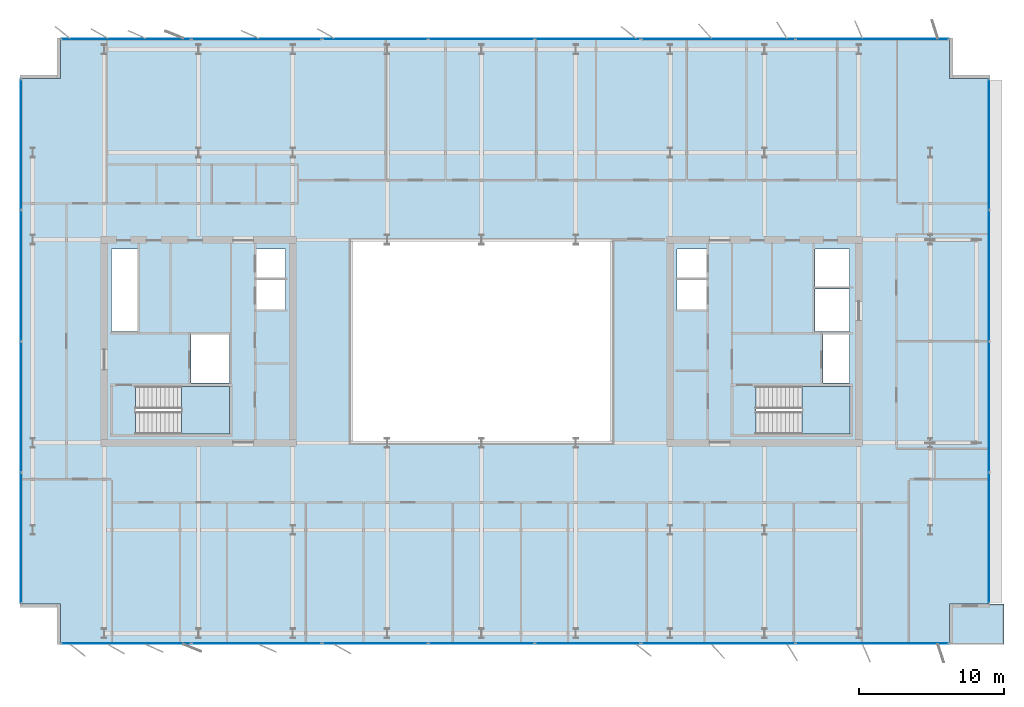
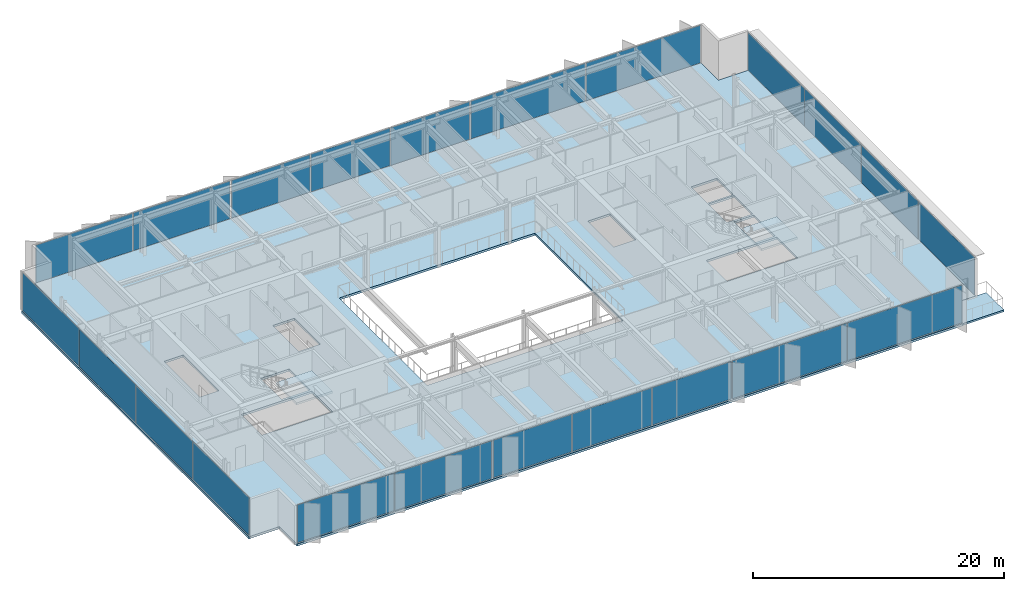
# One storey, part 11 of 20: 22 plates, 4 slabs, 10 elements without a shape of their own.
"""IFC4 building model written with IfcOpenShell, lengths in metres."""

from ifc_helpers import new_model, si_unit, direction, frame, origin, origin_2d, place, context, subcontext, project, spatial, polyline, rectangle, outline, extrude, material, layer, layer_set, type_object, element, aggregate, save


model = new_model("IFC4")

# Units and contexts
model_context = context("Model", 3, precision=1e-05, world=origin(), true_north=direction((0.0, 1.0)))
body_context = subcontext(model_context, "Body", "Model", "MODEL_VIEW")
ifc_project = project(units=[si_unit("LENGTHUNIT", "METRE"), si_unit("AREAUNIT", "SQUARE_METRE"), si_unit("VOLUMEUNIT", "CUBIC_METRE"), si_unit("PLANEANGLEUNIT", "RADIAN"), si_unit("MASSUNIT", "GRAM", prefix="KILO")], contexts=[model_context])

# Site, building, storey
site_placement = place(None, origin())
site = spatial("IfcSite", under=ifc_project, at=site_placement, CompositionType="ELEMENT")
building_placement = place(site_placement, origin())
building = spatial("IfcBuilding", under=site, at=building_placement, Name="Putna Gate Headquarters", CompositionType="ELEMENT")
storey_placement = place(building_placement, frame((0.0, 0.0, 302.39990234375)))
storey = spatial("IfcBuildingStorey", under=building, at=storey_placement, Name="L76", CompositionType="ELEMENT", Elevation=302.39990234375)

# Stair, slab
ifc_material_1 = material(Name="Concrete C40/50", Category="concrete")
stair_type_1 = type_object("IfcStairType", Name="STAIR-ST1", PredefinedType="HALF_TURN_STAIR", material=ifc_material_1)
stair_1_placement = place(storey_placement, origin())
stair_1 = element("IfcStair", 1, at=stair_1_placement, inside=storey, type_object=stair_type_1, Name="L76 West Core Exit Stair ST1", PredefinedType="HALF_TURN_STAIR")
ifc_layer_1 = layer(ifc_material_1, 0.199951171875)
ifc_layer_set_1 = layer_set([ifc_layer_1], Name="Concrete C40/50")
slab_type_1 = type_object("IfcSlabType", Name="LANDING-ST1", PredefinedType="LANDING", material=ifc_layer_set_1)
slab_1_placement = place(storey_placement, frame((0.0, 0.0, 1.800048828125)))
slab_1 = element("IfcSlab", 2, at=slab_1_placement, type_object=slab_type_1, Name="ST1 landing 1", PredefinedType="LANDING", context=body_context, shape_type="SweptSolid", body=[
    extrude(outline(polyline([(18.340087890625, 19.60009765625), (21.64990234375, 19.60009765625), (21.64990234375, 22.89990234375), (18.340087890625, 22.89990234375), (18.340087890625, 19.60009765625)])), origin(), (0.0, 0.0, 1.0), 0.199951171875),
])
aggregate(stair_1, [slab_1])

stair_type_2 = type_object("IfcStairType", Name="STAIR-ST2", PredefinedType="HALF_TURN_STAIR", material=ifc_material_1)
stair_2_placement = place(storey_placement, origin())
stair_2 = element("IfcStair", 3, at=stair_2_placement, inside=storey, type_object=stair_type_2, Name="L76 East Core Exit Stair ST2", PredefinedType="HALF_TURN_STAIR")
ifc_layer_2 = layer(ifc_material_1, 0.199951171875)
ifc_layer_set_2 = layer_set([ifc_layer_2], Name="Concrete C40/50")
slab_type_2 = type_object("IfcSlabType", Name="LANDING-ST2", PredefinedType="LANDING", material=ifc_layer_set_2)
slab_2_placement = place(storey_placement, frame((0.0, 0.0, 1.800048828125)))
slab_2 = element("IfcSlab", 4, at=slab_2_placement, type_object=slab_type_2, Name="ST2 landing 1", PredefinedType="LANDING", context=body_context, shape_type="SweptSolid", body=[
    extrude(outline(polyline([(61.090087890625, 19.60009765625), (64.39990234375, 19.60009765625), (64.39990234375, 22.89990234375), (61.090087890625, 22.89990234375), (61.090087890625, 19.60009765625)])), origin(), (0.0, 0.0, 1.0), 0.199951171875),
])
aggregate(stair_2, [slab_2])

# Curtain wall, plates
ifc_material_2 = material(Name="Anodised bronze aluminium curtain wall", Category="aluminium")
ifc_layer_3 = layer(ifc_material_2, 0.179931640625)
ifc_layer_set_3 = layer_set([ifc_layer_3], Name="Anodised bronze aluminium curtain wall")
curtain_wall_type_1 = type_object("IfcCurtainWallType", Name="CW-SYS-Z5", PredefinedType="USERDEFINED", material=ifc_layer_set_3)
curtain_wall_1_placement = place(storey_placement, origin())
curtain_wall_1 = element("IfcCurtainWall", 5, at=curtain_wall_1_placement, inside=storey, type_object=curtain_wall_type_1, Name="L76 South West Curtain Wall", ObjectType="STICK CURTAIN WALL", PredefinedType="USERDEFINED")
ifc_material_3 = material(Name="Solar-control triple low-E glass", Category="glass")
ifc_layer_4 = layer(ifc_material_3, 0.033935546875)
ifc_layer_set_4 = layer_set([ifc_layer_4], Name="Solar-control triple low-E glass")
plate_type_1 = type_object("IfcPlateType", Name="PAN-CWP-5", PredefinedType="CURTAIN_PANEL", material=ifc_layer_set_4)
plate_1_placement = place(storey_placement, frame((14.517578125, 5.179931640625, 0.06005859375), z_axis=(0.0, 0.0, 1.0), x_axis=(1.0, 0.0, 0.0)))
plate_1 = element("IfcPlate", 6, at=plate_1_placement, type_object=plate_type_1, Name="CWS-5 panel 1.1", PredefinedType="CURTAIN_PANEL", context=body_context, shape_type="SweptSolid", body=[
    extrude(rectangle(XDim=8.89501953125, YDim=0.033935546875, at=origin_2d()), origin(), (0.0, 0.0, 1.0), 3.66796875),
])
plate_2_placement = place(storey_placement, frame((23.482421875, 5.179931640625, 0.06005859375), z_axis=(0.0, 0.0, 1.0), x_axis=(1.0, 0.0, 0.0)))
plate_2 = element("IfcPlate", 7, at=plate_2_placement, type_object=plate_type_1, Name="CWS-5 panel 2.1", PredefinedType="CURTAIN_PANEL", context=body_context, shape_type="SweptSolid", body=[
    extrude(rectangle(XDim=8.89501953125, YDim=0.033935546875, at=origin_2d()), origin(), (0.0, 0.0, 1.0), 3.66796875),
])
aggregate(curtain_wall_1, [plate_1, plate_2])

curtain_wall_2_placement = place(storey_placement, origin())
curtain_wall_2 = element("IfcCurtainWall", 8, at=curtain_wall_2_placement, inside=storey, type_object=curtain_wall_type_1, Name="L76 South East Curtain Wall", ObjectType="STICK CURTAIN WALL", PredefinedType="USERDEFINED")
plate_3_placement = place(storey_placement, frame((55.33056640625, 5.179931640625, 0.06005859375), z_axis=(0.0, 0.0, 1.0), x_axis=(1.0, 0.0, 0.0)))
plate_3 = element("IfcPlate", 9, at=plate_3_placement, type_object=plate_type_1, Name="CWS-5 panel 1.1", PredefinedType="CURTAIN_PANEL", context=body_context, shape_type="SweptSolid", body=[
    extrude(rectangle(XDim=10.52099609375, YDim=0.033935546875, at=origin_2d()), origin(), (0.0, 0.0, 1.0), 3.66796875),
])
plate_4_placement = place(storey_placement, frame((65.921630859375, 5.179931640625, 0.06005859375), z_axis=(0.0, 0.0, 1.0), x_axis=(1.0, 0.0, 0.0)))
plate_4 = element("IfcPlate", 10, at=plate_4_placement, type_object=plate_type_1, Name="CWS-5 panel 2.1", PredefinedType="CURTAIN_PANEL", context=body_context, shape_type="SweptSolid", body=[
    extrude(rectangle(XDim=10.52099609375, YDim=0.033935546875, at=origin_2d()), origin(), (0.0, 0.0, 1.0), 3.66796875),
])
aggregate(curtain_wall_2, [plate_3, plate_4])

curtain_wall_3_placement = place(storey_placement, origin())
curtain_wall_3 = element("IfcCurtainWall", 11, at=curtain_wall_3_placement, inside=storey, type_object=curtain_wall_type_1, Name="L76 North West Curtain Wall", ObjectType="STICK CURTAIN WALL", PredefinedType="USERDEFINED")
plate_5_placement = place(storey_placement, frame((14.517578125, 46.820068359375, 0.06005859375), z_axis=(0.0, 0.0, 1.0), x_axis=(1.0, 0.0, 0.0)))
plate_5 = element("IfcPlate", 12, at=plate_5_placement, type_object=plate_type_1, Name="CWS-5 panel 1.1", PredefinedType="CURTAIN_PANEL", context=body_context, shape_type="SweptSolid", body=[
    extrude(rectangle(XDim=8.89501953125, YDim=0.033935546875, at=origin_2d()), origin(), (0.0, 0.0, 1.0), 3.66796875),
])
plate_6_placement = place(storey_placement, frame((23.482421875, 46.820068359375, 0.06005859375), z_axis=(0.0, 0.0, 1.0), x_axis=(1.0, 0.0, 0.0)))
plate_6 = element("IfcPlate", 13, at=plate_6_placement, type_object=plate_type_1, Name="CWS-5 panel 2.1", PredefinedType="CURTAIN_PANEL", context=body_context, shape_type="SweptSolid", body=[
    extrude(rectangle(XDim=8.89501953125, YDim=0.033935546875, at=origin_2d()), origin(), (0.0, 0.0, 1.0), 3.66796875),
])
aggregate(curtain_wall_3, [plate_5, plate_6])

curtain_wall_4_placement = place(storey_placement, origin())
curtain_wall_4 = element("IfcCurtainWall", 14, at=curtain_wall_4_placement, inside=storey, type_object=curtain_wall_type_1, Name="L76 North East Curtain Wall", ObjectType="STICK CURTAIN WALL", PredefinedType="USERDEFINED")
plate_7_placement = place(storey_placement, frame((55.33056640625, 46.820068359375, 0.06005859375), z_axis=(0.0, 0.0, 1.0), x_axis=(1.0, 0.0, 0.0)))
plate_7 = element("IfcPlate", 15, at=plate_7_placement, type_object=plate_type_1, Name="CWS-5 panel 1.1", PredefinedType="CURTAIN_PANEL", context=body_context, shape_type="SweptSolid", body=[
    extrude(rectangle(XDim=10.52099609375, YDim=0.033935546875, at=origin_2d()), origin(), (0.0, 0.0, 1.0), 3.66796875),
])
plate_8_placement = place(storey_placement, frame((65.921630859375, 46.820068359375, 0.06005859375), z_axis=(0.0, 0.0, 1.0), x_axis=(1.0, 0.0, 0.0)))
plate_8 = element("IfcPlate", 16, at=plate_8_placement, type_object=plate_type_1, Name="CWS-5 panel 2.1", PredefinedType="CURTAIN_PANEL", context=body_context, shape_type="SweptSolid", body=[
    extrude(rectangle(XDim=10.52099609375, YDim=0.033935546875, at=origin_2d()), origin(), (0.0, 0.0, 1.0), 3.66796875),
])
aggregate(curtain_wall_4, [plate_7, plate_8])

curtain_wall_5_placement = place(storey_placement, origin())
curtain_wall_5 = element("IfcCurtainWall", 17, at=curtain_wall_5_placement, inside=storey, type_object=curtain_wall_type_1, Name="L76 West Curtain Wall", ObjectType="STICK CURTAIN WALL", PredefinedType="USERDEFINED")
plate_9_placement = place(storey_placement, frame((7.280029296875, 12.4423828125, 0.06005859375), z_axis=(0.0, 0.0, 1.0), x_axis=(0.0, 1.0, 0.0)))
plate_9 = element("IfcPlate", 18, at=plate_9_placement, type_object=plate_type_1, Name="CWS-5 panel 1.1", PredefinedType="CURTAIN_PANEL", context=body_context, shape_type="SweptSolid", body=[
    extrude(rectangle(XDim=8.945068359375, YDim=0.033935546875, at=origin_2d()), origin(), (0.0, 0.0, 1.0), 3.66796875),
])
plate_10_placement = place(storey_placement, frame((7.280029296875, 21.47509765625, 0.06005859375), z_axis=(0.0, 0.0, 1.0), x_axis=(0.0, 1.0, 0.0)))
plate_10 = element("IfcPlate", 19, at=plate_10_placement, type_object=plate_type_1, Name="CWS-5 panel 2.1", PredefinedType="CURTAIN_PANEL", context=body_context, shape_type="SweptSolid", body=[
    extrude(rectangle(XDim=8.97998046875, YDim=0.033935546875, at=origin_2d()), origin(), (0.0, 0.0, 1.0), 3.66796875),
])
plate_11_placement = place(storey_placement, frame((7.280029296875, 30.52490234375, 0.06005859375), z_axis=(0.0, 0.0, 1.0), x_axis=(0.0, 1.0, 0.0)))
plate_11 = element("IfcPlate", 20, at=plate_11_placement, type_object=plate_type_1, Name="CWS-5 panel 3.1", PredefinedType="CURTAIN_PANEL", context=body_context, shape_type="SweptSolid", body=[
    extrude(rectangle(XDim=8.97998046875, YDim=0.033935546875, at=origin_2d()), origin(), (0.0, 0.0, 1.0), 3.66796875),
])
plate_12_placement = place(storey_placement, frame((7.280029296875, 39.5576171875, 0.06005859375), z_axis=(0.0, 0.0, 1.0), x_axis=(0.0, 1.0, 0.0)))
plate_12 = element("IfcPlate", 21, at=plate_12_placement, type_object=plate_type_1, Name="CWS-5 panel 4.1", PredefinedType="CURTAIN_PANEL", context=body_context, shape_type="SweptSolid", body=[
    extrude(rectangle(XDim=8.945068359375, YDim=0.033935546875, at=origin_2d()), origin(), (0.0, 0.0, 1.0), 3.66796875),
])
aggregate(curtain_wall_5, [plate_9, plate_10, plate_11, plate_12])

curtain_wall_6_placement = place(storey_placement, origin())
curtain_wall_6 = element("IfcCurtainWall", 22, at=curtain_wall_6_placement, inside=storey, type_object=curtain_wall_type_1, Name="L76 East Curtain Wall", ObjectType="STICK CURTAIN WALL", PredefinedType="USERDEFINED")
plate_13_placement = place(storey_placement, frame((73.97216796875, 12.4423828125, 0.06005859375), z_axis=(0.0, 0.0, 1.0), x_axis=(0.0, 1.0, 0.0)))
plate_13 = element("IfcPlate", 23, at=plate_13_placement, type_object=plate_type_1, Name="CWS-5 panel 1.1", PredefinedType="CURTAIN_PANEL", context=body_context, shape_type="SweptSolid", body=[
    extrude(rectangle(XDim=8.945068359375, YDim=0.033935546875, at=origin_2d()), origin(), (0.0, 0.0, 1.0), 3.66796875),
])
plate_14_placement = place(storey_placement, frame((73.97216796875, 21.47509765625, 0.06005859375), z_axis=(0.0, 0.0, 1.0), x_axis=(0.0, 1.0, 0.0)))
plate_14 = element("IfcPlate", 24, at=plate_14_placement, type_object=plate_type_1, Name="CWS-5 panel 2.1", PredefinedType="CURTAIN_PANEL", context=body_context, shape_type="SweptSolid", body=[
    extrude(rectangle(XDim=8.97998046875, YDim=0.033935546875, at=origin_2d()), origin(), (0.0, 0.0, 1.0), 3.66796875),
])
plate_15_placement = place(storey_placement, frame((73.97216796875, 30.52490234375, 0.06005859375), z_axis=(0.0, 0.0, 1.0), x_axis=(0.0, 1.0, 0.0)))
plate_15 = element("IfcPlate", 25, at=plate_15_placement, type_object=plate_type_1, Name="CWS-5 panel 3.1", PredefinedType="CURTAIN_PANEL", context=body_context, shape_type="SweptSolid", body=[
    extrude(rectangle(XDim=8.97998046875, YDim=0.033935546875, at=origin_2d()), origin(), (0.0, 0.0, 1.0), 3.66796875),
])
plate_16_placement = place(storey_placement, frame((73.97216796875, 39.5576171875, 0.06005859375), z_axis=(0.0, 0.0, 1.0), x_axis=(0.0, 1.0, 0.0)))
plate_16 = element("IfcPlate", 26, at=plate_16_placement, type_object=plate_type_1, Name="CWS-5 panel 4.1", PredefinedType="CURTAIN_PANEL", context=body_context, shape_type="SweptSolid", body=[
    extrude(rectangle(XDim=8.945068359375, YDim=0.033935546875, at=origin_2d()), origin(), (0.0, 0.0, 1.0), 3.66796875),
])
aggregate(curtain_wall_6, [plate_13, plate_14, plate_15, plate_16])

ifc_layer_5 = layer(ifc_material_2, 0.179931640625)
ifc_layer_set_5 = layer_set([ifc_layer_5], Name="Anodised bronze aluminium curtain wall")
curtain_wall_type_2 = type_object("IfcCurtainWallType", Name="CW-SYS-ATR", PredefinedType="USERDEFINED", material=ifc_layer_set_5)
curtain_wall_7_placement = place(storey_placement, origin())
curtain_wall_7 = element("IfcCurtainWall", 27, at=curtain_wall_7_placement, inside=storey, type_object=curtain_wall_type_2, Name="L76 South Atrium Clear Glazing", ObjectType="ATRIUM GLAZING", PredefinedType="USERDEFINED")
ifc_material_4 = material(Name="Clear low-iron triple glazing", Category="glass")
ifc_layer_6 = layer(ifc_material_4, 0.0400390625)
ifc_layer_set_6 = layer_set([ifc_layer_6], Name="Clear low-iron triple glazing")
plate_type_2 = type_object("IfcPlateType", Name="PAN-CWP-AT", PredefinedType="CURTAIN_PANEL", material=ifc_layer_set_6)
plate_17_placement = place(storey_placement, frame((31.68408203125, 5.179931640625, 0.070068359375), z_axis=(0.0, 0.0, 1.0), x_axis=(1.0, 0.0, 0.0)))
plate_17 = element("IfcPlate", 28, at=plate_17_placement, type_object=plate_type_2, Name="CWS-AT panel 1.1", PredefinedType="CURTAIN_PANEL", context=body_context, shape_type="SweptSolid", body=[
    extrude(rectangle(XDim=7.228271484375, YDim=0.0400390625, at=origin_2d()), origin(), (0.0, 0.0, 1.0), 3.64794921875),
])
plate_18_placement = place(storey_placement, frame((39.0, 5.179931640625, 0.070068359375), z_axis=(0.0, 0.0, 1.0), x_axis=(1.0, 0.0, 0.0)))
plate_18 = element("IfcPlate", 29, at=plate_18_placement, type_object=plate_type_2, Name="CWS-AT panel 2.1", PredefinedType="CURTAIN_PANEL", context=body_context, shape_type="SweptSolid", body=[
    extrude(rectangle(XDim=7.263427734375, YDim=0.0400390625, at=origin_2d()), origin(), (0.0, 0.0, 1.0), 3.64794921875),
])
plate_19_placement = place(storey_placement, frame((46.31591796875, 5.179931640625, 0.070068359375), z_axis=(0.0, 0.0, 1.0), x_axis=(1.0, 0.0, 0.0)))
plate_19 = element("IfcPlate", 30, at=plate_19_placement, type_object=plate_type_2, Name="CWS-AT panel 3.1", PredefinedType="CURTAIN_PANEL", context=body_context, shape_type="SweptSolid", body=[
    extrude(rectangle(XDim=7.228271484375, YDim=0.0400390625, at=origin_2d()), origin(), (0.0, 0.0, 1.0), 3.64794921875),
])
aggregate(curtain_wall_7, [plate_17, plate_18, plate_19])

curtain_wall_8_placement = place(storey_placement, origin())
curtain_wall_8 = element("IfcCurtainWall", 31, at=curtain_wall_8_placement, inside=storey, type_object=curtain_wall_type_2, Name="L76 North Atrium Clear Glazing", ObjectType="ATRIUM GLAZING", PredefinedType="USERDEFINED")
plate_20_placement = place(storey_placement, frame((31.68408203125, 46.820068359375, 0.070068359375), z_axis=(0.0, 0.0, 1.0), x_axis=(1.0, 0.0, 0.0)))
plate_20 = element("IfcPlate", 32, at=plate_20_placement, type_object=plate_type_2, Name="CWS-AT panel 1.1", PredefinedType="CURTAIN_PANEL", context=body_context, shape_type="SweptSolid", body=[
    extrude(rectangle(XDim=7.228271484375, YDim=0.0400390625, at=origin_2d()), origin(), (0.0, 0.0, 1.0), 3.64794921875),
])
plate_21_placement = place(storey_placement, frame((39.0, 46.820068359375, 0.070068359375), z_axis=(0.0, 0.0, 1.0), x_axis=(1.0, 0.0, 0.0)))
plate_21 = element("IfcPlate", 33, at=plate_21_placement, type_object=plate_type_2, Name="CWS-AT panel 2.1", PredefinedType="CURTAIN_PANEL", context=body_context, shape_type="SweptSolid", body=[
    extrude(rectangle(XDim=7.263427734375, YDim=0.0400390625, at=origin_2d()), origin(), (0.0, 0.0, 1.0), 3.64794921875),
])
plate_22_placement = place(storey_placement, frame((46.31591796875, 46.820068359375, 0.070068359375), z_axis=(0.0, 0.0, 1.0), x_axis=(1.0, 0.0, 0.0)))
plate_22 = element("IfcPlate", 34, at=plate_22_placement, type_object=plate_type_2, Name="CWS-AT panel 3.1", PredefinedType="CURTAIN_PANEL", context=body_context, shape_type="SweptSolid", body=[
    extrude(rectangle(XDim=7.228271484375, YDim=0.0400390625, at=origin_2d()), origin(), (0.0, 0.0, 1.0), 3.64794921875),
])
aggregate(curtain_wall_8, [plate_20, plate_21, plate_22])

# Slabs
ifc_layer_7 = layer(ifc_material_1, 0.179931640625)
ifc_layer_set_7 = layer_set([ifc_layer_7], Name="Concrete C40/50")
slab_type_3 = type_object("IfcSlabType", Name="SLAB-TERRACE-180", PredefinedType="FLOOR", material=ifc_layer_set_7)
slab_3_placement = place(storey_placement, frame((0.0, 0.0, -0.179931640625)))
element("IfcSlab", 35, at=slab_3_placement, inside=storey, type_object=slab_type_3, Name="L76 Spiral Sky-Garden Terrace Slab (SE)", PredefinedType="FLOOR", context=body_context, shape_type="SweptSolid", body=[
    extrude(outline(polyline([(71.244140625, 5.10009765625), (75.002197265625, 5.10009765625), (75.002197265625, 7.907958984375), (71.244140625, 7.907958984375), (71.244140625, 5.10009765625)])), origin(), (0.0, 0.0, 1.0), 0.179931640625),
])
ifc_layer_8 = layer(ifc_material_1, 0.2119140625)
ifc_layer_set_8 = layer_set([ifc_layer_8], Name="Concrete C40/50")
slab_type_4 = type_object("IfcSlabType", Name="SLAB-Z5-212", PredefinedType="FLOOR", material=ifc_layer_set_8)
slab_4_placement = place(storey_placement, frame((0.0, 0.0, -0.2119140625)))
element("IfcSlab", 36, at=slab_4_placement, inside=storey, type_object=slab_type_4, Name="L76 Composite Floor Slab", PredefinedType="FLOOR", context=body_context, shape_type="SweptSolid", body=[
    extrude(outline(polyline([(10.0, 5.10009765625), (71.252197265625, 5.10009765625), (71.252197265625, 7.89990234375), (74.052001953125, 7.89990234375), (74.052001953125, 44.10009765625), (71.252197265625, 44.10009765625), (71.252197265625, 46.89990234375), (10.0, 46.89990234375), (10.0, 44.10009765625), (7.199951171875, 44.10009765625), (7.199951171875, 7.89990234375), (10.0, 7.89990234375), (10.0, 5.10009765625)]), holes=[polyline([(15.1650390625, 19.60009765625), (21.64990234375, 19.60009765625), (21.64990234375, 22.89990234375), (15.1650390625, 22.89990234375), (15.1650390625, 19.60009765625)]), polyline([(57.9150390625, 19.60009765625), (64.39990234375, 19.60009765625), (64.39990234375, 22.89990234375), (57.9150390625, 22.89990234375), (57.9150390625, 19.60009765625)]), polyline([(13.52001953125, 26.659912109375), (15.280029296875, 26.659912109375), (15.280029296875, 32.35009765625), (13.52001953125, 32.35009765625), (13.52001953125, 26.659912109375)]), polyline([(61.969970703125, 29.780029296875), (64.35009765625, 29.780029296875), (64.35009765625, 32.35009765625), (61.969970703125, 32.35009765625), (61.969970703125, 29.780029296875)]), polyline([(18.97998046875, 23.1201171875), (21.6201171875, 23.1201171875), (21.6201171875, 26.4599609375), (18.97998046875, 26.4599609375), (18.97998046875, 23.1201171875)]), polyline([(62.52001953125, 23.1201171875), (64.35009765625, 23.1201171875), (64.35009765625, 26.4599609375), (62.52001953125, 26.4599609375), (62.52001953125, 23.1201171875)]), polyline([(61.969970703125, 26.659912109375), (64.35009765625, 26.659912109375), (64.35009765625, 29.6201171875), (61.969970703125, 29.6201171875), (61.969970703125, 26.659912109375)]), polyline([(23.5, 28.199951171875), (25.5, 28.199951171875), (25.5, 32.35009765625), (23.5, 32.35009765625), (23.5, 28.199951171875)]), polyline([(52.47998046875, 28.199951171875), (54.5, 28.199951171875), (54.5, 32.35009765625), (52.47998046875, 32.35009765625), (52.47998046875, 28.199951171875)]), polyline([(30.0, 19.0), (48.0, 19.0), (48.0, 33.0), (30.0, 33.0), (30.0, 19.0)])]), origin(), (0.0, 0.0, 1.0), 0.2119140625),
])

save(model, "model.ifc")
